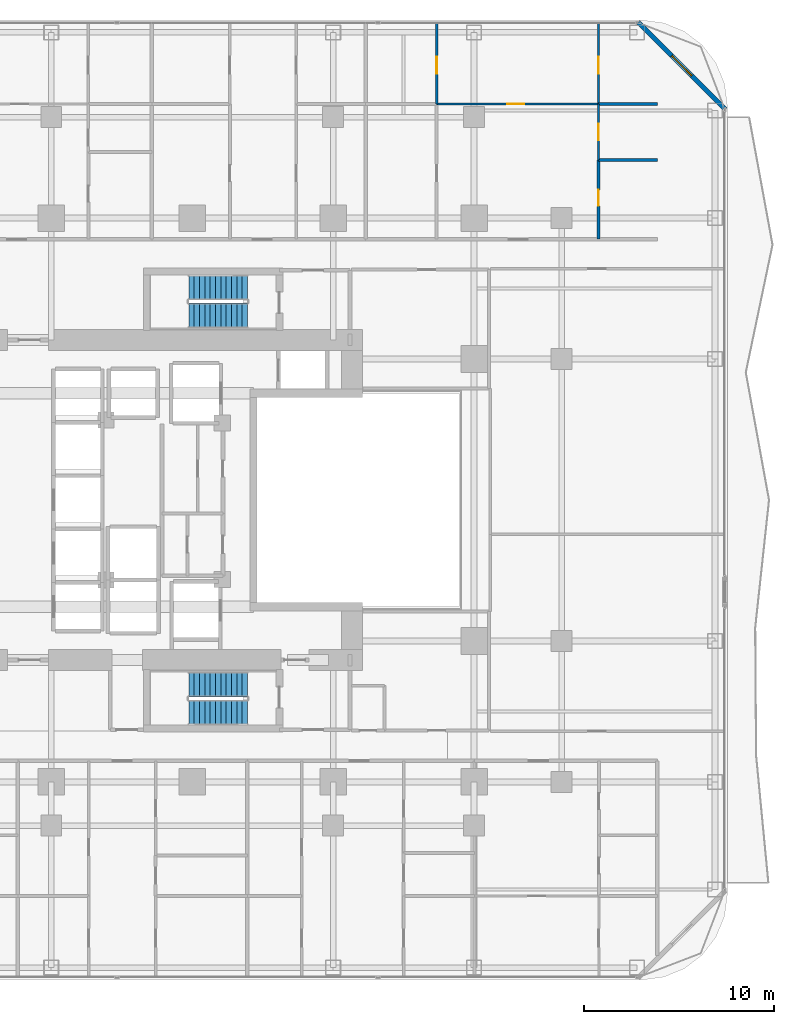
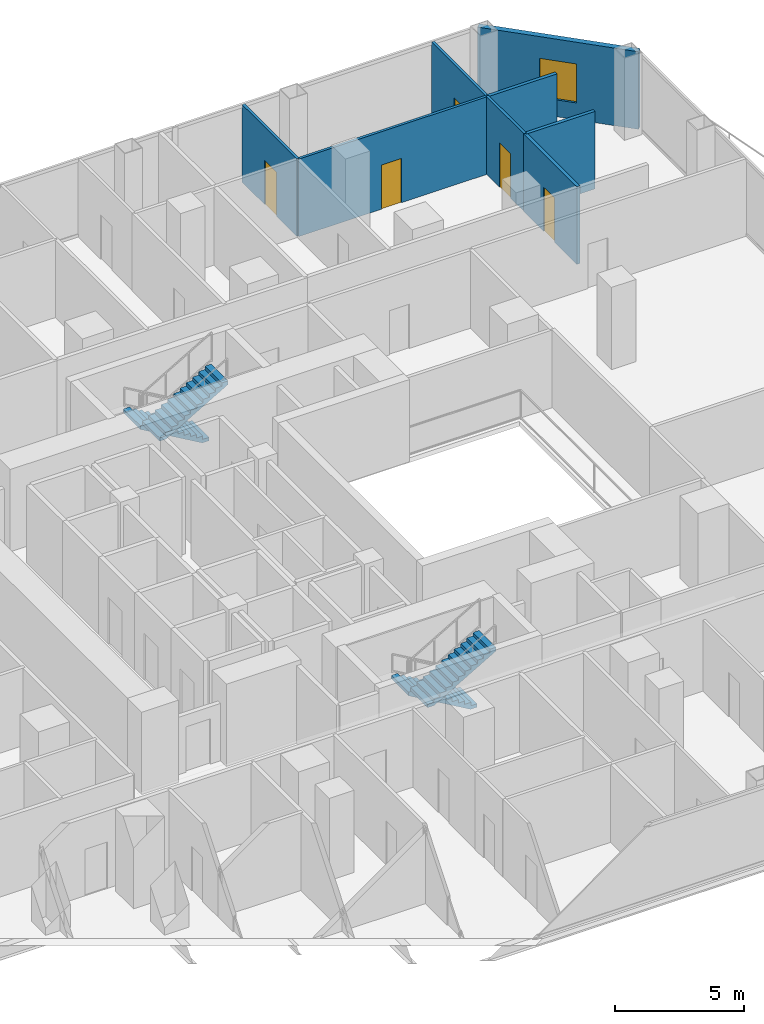
# One storey, part 25 of 28: 8 walls, 5 doors, 4 stair flights, 1 window, 6 openings, 2 elements without a shape of their own.
"""IFC4 building model written with IfcOpenShell, lengths in metres."""

import ifcopenshell
import ifcopenshell.guid

model = None  # the IFC model being written
_history = None  # IfcOwnerHistory: only IFC2X3 demands one
_inside = {}  # id of a spatial element -> (the spatial element, [elements in it])
_under = {}  # id of a project, library or spatial element -> (it, [spatial elements below it])
_declared = {}  # id of a project -> (the project, [libraries it declares])
_typed = {}  # id of a type object -> (the type object, [elements of that type])
_made_of = {}  # id of a material, layer set ... -> (it, [elements and type objects made of it])


def new_model(schema):
    """Start an empty IFC model of exactly this schema.

    Asked for "IFC4X3", IfcOpenShell would pick the latest addendum, in which some entities
    have other attributes; the version numbers below select the first issue.
    IFC2X3 requires an IfcOwnerHistory on every rooted entity: one is made here for all.
    """
    global model, _history
    if schema == "IFC4X3":
        model = ifcopenshell.file(schema_version=(4, 3, 0, 0))
    else:
        model = ifcopenshell.file(schema=schema)
    _inside.clear()
    _under.clear()
    _declared.clear()
    _typed.clear()
    _made_of.clear()
    _history = None
    if model.schema == "IFC2X3":
        org = make("IfcOrganization", Name="unknown")
        user = make(
            "IfcPersonAndOrganization",
            ThePerson=make("IfcPerson", FamilyName="unknown"),
            TheOrganization=org,
        )
        app = make(
            "IfcApplication",
            ApplicationDeveloper=org,
            Version="unknown",
            ApplicationFullName="unknown",
            ApplicationIdentifier="unknown",
        )
        _history = make(
            "IfcOwnerHistory",
            OwningUser=user,
            OwningApplication=app,
            ChangeAction="ADDED",
            CreationDate=0,
        )
    return model


def make(cls, **values):
    """One entity of the class cls with the attributes given. An attribute that is None is left unset."""
    return model.create_entity(
        cls, **{name: value for name, value in values.items() if value is not None}
    )


def rooted(cls, **values):
    """An entity with a GlobalId (a new one), such as an element, a storey or a relation."""
    return make(cls, GlobalId=ifcopenshell.guid.new(), OwnerHistory=_history, **values)


def si_unit(unit_type, name, prefix=None):
    """IfcSIUnit, for example si_unit("LENGTHUNIT", "METRE", prefix="MILLI")."""
    return make("IfcSIUnit", UnitType=unit_type, Prefix=prefix, Name=name)


def assignment(units):
    """IfcUnitAssignment: the units of a project."""
    return None if units is None else make("IfcUnitAssignment", Units=units)


def point(xyz):
    """IfcCartesianPoint."""
    return None if xyz is None else make("IfcCartesianPoint", Coordinates=xyz)


def direction(xyz):
    """IfcDirection."""
    return None if xyz is None else make("IfcDirection", DirectionRatios=xyz)


def frame(location, z_axis=None, x_axis=None):
    """IfcAxis2Placement3D, a coordinate frame: its origin and axes. An axis left out is left unset."""
    return make(
        "IfcAxis2Placement3D",
        Location=point(location),
        Axis=direction(z_axis),
        RefDirection=direction(x_axis),
    )


def frame_2d(location, x_axis=None):
    """IfcAxis2Placement2D, a coordinate frame in the plane: its origin and x axis."""
    return make(
        "IfcAxis2Placement2D", Location=point(location), RefDirection=direction(x_axis)
    )


def origin():
    """The frame at (0, 0, 0) with its axes left unset."""
    return frame((0.0, 0.0, 0.0))


def place(relative_to, where):
    """IfcLocalPlacement: puts the frame where relative to a parent placement (None: the world)."""
    return make(
        "IfcLocalPlacement", PlacementRelTo=relative_to, RelativePlacement=where
    )


def context(
    kind, dimensions, precision=None, world=None, true_north=None, identifier=None
):
    """IfcGeometricRepresentationContext, for example the 3D "Model" context."""
    return make(
        "IfcGeometricRepresentationContext",
        ContextIdentifier=identifier,
        ContextType=kind,
        CoordinateSpaceDimension=dimensions,
        Precision=precision,
        WorldCoordinateSystem=world,
        TrueNorth=true_north,
    )


def subcontext(parent, identifier, kind, view, scale=None):
    """IfcGeometricRepresentationSubContext, for example "Body" below "Model"."""
    return make(
        "IfcGeometricRepresentationSubContext",
        ContextIdentifier=identifier,
        ContextType=kind,
        ParentContext=parent,
        TargetScale=scale,
        TargetView=view,
    )


def project(units=None, contexts=None):
    """IfcProject with its units and contexts."""
    return rooted(
        "IfcProject",
        Name="project",
        RepresentationContexts=contexts,
        UnitsInContext=assignment(units),
    )


def spatial(cls, under=None, at=None, **own):
    """A site, building, storey or space (cls), placed at a placement, below another one or the project."""
    s = rooted(cls, ObjectPlacement=at, **own)
    if under is not None:
        _under.setdefault(under.id(), (under, []))[1].append(s)
    return s


def polyline(points):
    """IfcPolyline through the points."""
    return make("IfcPolyline", Points=[point(p) for p in points])


def profile(cls, at=None, kind="AREA", **sizes):
    """A parametric profile (cls). Its sizes go by their IFC names, for example OverallWidth=200.0."""
    return make(cls, ProfileType=kind, Position=at, **sizes)


def rectangle(**sizes):
    """IfcRectangleProfileDef."""
    return profile("IfcRectangleProfileDef", **sizes)


def outline(outer, holes=None, kind="AREA"):
    """IfcArbitraryClosedProfileDef: a profile drawn as a closed curve; with holes, ...WithVoids."""
    if holes is None:
        return make("IfcArbitraryClosedProfileDef", ProfileType=kind, OuterCurve=outer)
    return make(
        "IfcArbitraryProfileDefWithVoids",
        ProfileType=kind,
        OuterCurve=outer,
        InnerCurves=holes,
    )


def extrude(swept, where, along, depth):
    """IfcExtrudedAreaSolid: the profile swept, set in the frame where, extruded along a direction by depth."""
    return make(
        "IfcExtrudedAreaSolid",
        SweptArea=swept,
        Position=where,
        ExtrudedDirection=direction(along),
        Depth=depth,
    )


def shape(context_of_items, identifier, shape_type, items):
    """IfcShapeRepresentation: the items that make up one representation, for example the "Body"."""
    return make(
        "IfcShapeRepresentation",
        ContextOfItems=context_of_items,
        RepresentationIdentifier=identifier,
        RepresentationType=shape_type,
        Items=items,
    )


def material(Name=None, Category=None):
    """IfcMaterial."""
    return make("IfcMaterial", Name=Name, Category=Category)


def layer(
    of_material, thickness, ventilated=None, Name=None, Category=None, Priority=None
):
    """IfcMaterialLayer: one layer of a wall or slab, of a material (None: an air gap)."""
    return make(
        "IfcMaterialLayer",
        Material=of_material,
        LayerThickness=thickness,
        IsVentilated=ventilated,
        Name=Name,
        Category=Category,
        Priority=Priority,
    )


def layer_set(layers, Name=None):
    """IfcMaterialLayerSet."""
    return make("IfcMaterialLayerSet", MaterialLayers=layers, LayerSetName=Name)


def made_of(thing, what):
    """Note that an element or type object is made of a material, layer set ...; save() writes the relation."""
    if what is not None:
        _made_of.setdefault(what.id(), (what, []))[1].append(thing)
    return thing


def type_object(cls, material=None, **own):
    """A type object (cls), such as IfcWallType, which elements share."""
    return made_of(rooted(cls, **own), material)


def element(
    cls,
    number,
    at=None,
    inside=None,
    cuts=None,
    type_object=None,
    material=None,
    context=None,
    identifier="Body",
    shape_type=None,
    held_by="IfcProductDefinitionShape",
    body=None,
    shapes=None,
    **own,
):
    """One element of the class cls, such as IfcWall. Its Tag is "e" and its number.

    at: its placement. inside: the storey or other place that contains it. cuts: it is an
    opening in that element (IfcRelVoidsElement). A single representation is given by context,
    identifier, shape_type and body (its items); several are given by shapes. held_by: the class
    of the entity that holds the representations. save() writes the other relations.
    """
    e = rooted(cls, Tag="e%d" % number, ObjectPlacement=at, **own)
    if body is not None:
        shapes = [shape(context, identifier, shape_type, body)]
    if shapes is not None:
        e.Representation = make(held_by, Representations=shapes)
    if inside is not None:
        _inside.setdefault(inside.id(), (inside, []))[1].append(e)
    if cuts is not None:
        rooted(
            "IfcRelVoidsElement", RelatingBuildingElement=cuts, RelatedOpeningElement=e
        )
    if type_object is not None:
        _typed.setdefault(type_object.id(), (type_object, []))[1].append(e)
    return made_of(e, material)


def fill(opening, filler):
    """IfcRelFillsElement: the door or window that sits in an opening."""
    return rooted(
        "IfcRelFillsElement",
        RelatingOpeningElement=opening,
        RelatedBuildingElement=filler,
    )


def aggregate(whole, parts):
    """IfcRelAggregates: a whole, such as a stair, and the parts it consists of."""
    return rooted("IfcRelAggregates", RelatingObject=whole, RelatedObjects=parts)


def save(model, path):
    """Write the relations noted so far, then the file.

    IfcRelAggregates (storeys below a building ...), IfcRelContainedInSpatialStructure (elements
    in a storey), IfcRelDefinesByType, IfcRelAssociatesMaterial and IfcRelDeclares: one each for
    every whole, place, type object, material and project.
    """
    for whole, parts in _under.values():
        aggregate(whole, parts)
    for where, things in _inside.values():
        rooted(
            "IfcRelContainedInSpatialStructure",
            RelatedElements=things,
            RelatingStructure=where,
        )
    for kind, things in _typed.values():
        rooted("IfcRelDefinesByType", RelatedObjects=things, RelatingType=kind)
    for what, things in _made_of.values():
        rooted("IfcRelAssociatesMaterial", RelatedObjects=things, RelatingMaterial=what)
    for by, libraries in _declared.values():
        rooted("IfcRelDeclares", RelatingContext=by, RelatedDefinitions=libraries)
    model.write(path)


model = new_model("IFC4")

# Units and contexts
model_context = context("Model", 3, precision=1e-05, world=origin(), true_north=direction((0.0, 1.0)))
body_context = subcontext(model_context, "Body", "Model", "MODEL_VIEW")
ifc_project = project(units=[si_unit("LENGTHUNIT", "METRE"), si_unit("AREAUNIT", "SQUARE_METRE"), si_unit("VOLUMEUNIT", "CUBIC_METRE"), si_unit("PLANEANGLEUNIT", "RADIAN"), si_unit("MASSUNIT", "GRAM", prefix="KILO")], contexts=[model_context])

# Site, building, storey
site_placement = place(None, origin())
site = spatial("IfcSite", under=ifc_project, at=site_placement, CompositionType="ELEMENT")
building_placement = place(site_placement, origin())
building = spatial("IfcBuilding", under=site, at=building_placement, Name="Khorvyn Point Tower", CompositionType="ELEMENT")
storey_placement = place(building_placement, frame((0.0, 0.0, 34.5)))
storey = spatial("IfcBuildingStorey", under=building, at=storey_placement, Name="L09", CompositionType="ELEMENT", Elevation=34.5)

# Wall, opening, window
ifc_material_1 = material(Name="Pale anodised aluminium rainscreen on steel stud", Category="steel")
ifc_layer_1 = layer(ifc_material_1, 0.239990234375)
ifc_layer_set_1 = layer_set([ifc_layer_1], Name="Anodised Aluminium Insulated Corner Spandrel Wall 240")
wall_type_1 = type_object("IfcWallType", Name="Anodised Aluminium Insulated Corner Spandrel Wall 240", PredefinedType="SOLIDWALL", material=ifc_layer_set_1)
wall_1_placement = place(storey_placement, frame((23.40771484375, 25.09228515625, 0.0), z_axis=(0.0, 0.0, 1.0), x_axis=(0.707106781187, -0.707106781187, 0.0)))
wall_1 = element("IfcWall", 1, at=wall_1_placement, inside=storey, type_object=wall_type_1, Name="L09 Rounded Corner Wall NE", PredefinedType="SOLIDWALL", context=body_context, shape_type="SweptSolid", body=[
    extrude(rectangle(XDim=6.48388671875, YDim=0.239990234375, at=frame_2d((3.241943359375, 0.0))), origin(), (0.0, 0.0, 1.0), 3.679931640625),
])
opening_1_placement = place(wall_1_placement, frame((2.491943359375, 0.0, 0.800048828125)))
opening_1 = element("IfcOpeningElement", 2, at=opening_1_placement, cuts=wall_1, Name="Opening WN-1518", PredefinedType="OPENING", context=body_context, shape_type="SweptSolid", body=[
    extrude(rectangle(XDim=1.5, YDim=1.85009765625, at=frame_2d((0.75, 0.925048828125))), frame((0.0, 0.1298828125, 0.0), z_axis=(0.0, -1.0, 0.0), x_axis=(1.0, 0.0, 0.0)), (0.0, 0.0, 1.0), 0.260009765625),
])
ifc_material_2 = material(Name="Anodised aluminium 6063-T6 and laminated Low-E glass", Category="aluminium")
window_type = type_object("IfcWindowType", Name="Anodised Aluminium Rounded-Corner Panoramic Window 1500x1850", PartitioningType="SINGLE_PANEL", PredefinedType="WINDOW", material=ifc_material_2)
window_placement = place(opening_1_placement, origin())
window = element("IfcWindow", 3, at=window_placement, inside=storey, type_object=window_type, Name="L09 Corner Panoramic Window NE", OverallHeight=1.85009765625, OverallWidth=1.5, PartitioningType="SINGLE_PANEL", PredefinedType="WINDOW", context=body_context, shape_type="SweptSolid", body=[
    extrude(rectangle(XDim=1.5, YDim=1.85009765625, at=frame_2d((0.75, 0.925048828125))), frame((0.0, 0.030029296875, 0.0), z_axis=(0.0, -1.0, 0.0), x_axis=(1.0, 0.0, 0.0)), (0.0, 0.0, 1.0), 0.06005859375),
])
fill(opening_1, window)

# Wall, opening, door
ifc_material_3 = material(Name="Gypsum plasterboard on steel stud", Category="steel")
ifc_layer_2 = layer(ifc_material_3, 0.1201171875)
ifc_layer_set_2 = layer_set([ifc_layer_2], Name="Gypsum Acoustic Stud Room Partition Wall 120")
wall_type_2 = type_object("IfcWallType", Name="Gypsum Acoustic Stud Room Partition Wall 120", PredefinedType="PARTITIONING", material=ifc_layer_set_2)
wall_2_placement = place(storey_placement, frame((12.833984375, 20.7900390625, 0.0), z_axis=(0.0, 0.0, 1.0), x_axis=(1.0, 0.0, 0.0)))
wall_2 = element("IfcWall", 4, at=wall_2_placement, inside=storey, type_object=wall_type_2, Name="Wall", PredefinedType="PARTITIONING", context=body_context, shape_type="SweptSolid", body=[
    extrude(rectangle(XDim=8.49609375, YDim=0.1201171875, at=frame_2d((4.248046875, 0.0))), origin(), (0.0, 0.0, 1.0), 3.679931640625),
])
opening_2_placement = place(wall_2_placement, frame((3.709228515625, 0.0, 0.0)))
opening_2 = element("IfcOpeningElement", 5, at=opening_2_placement, cuts=wall_2, Name="Opening ID-RM90", PredefinedType="OPENING", context=body_context, shape_type="SweptSolid", body=[
    extrude(rectangle(XDim=0.89990234375, YDim=2.10009765625, at=frame_2d((0.449951171875, 1.050048828125))), frame((0.0, 0.070068359375, 0.0), z_axis=(0.0, -1.0, 0.0), x_axis=(1.0, 0.0, 0.0)), (0.0, 0.0, 1.0), 0.14013671875),
])
ifc_material_4 = material(Name="Engineered oak veneer timber", Category="wood")
door_type_1 = type_object("IfcDoorType", Name="Flush Engineered Timber Room Door 900x2100", OperationType="NOTDEFINED", PredefinedType="DOOR", material=ifc_material_4)
door_1_placement = place(opening_2_placement, origin())
door_1 = element("IfcDoor", 6, at=door_1_placement, inside=storey, type_object=door_type_1, Name="Door", OperationType="SINGLE_SWING_LEFT", OverallHeight=2.10009765625, OverallWidth=0.89990234375, PredefinedType="DOOR", context=body_context, shape_type="SweptSolid", body=[
    extrude(rectangle(XDim=0.89990234375, YDim=2.10009765625, at=frame_2d((0.449951171875, 1.050048828125))), frame((0.0, 0.02490234375, 0.0), z_axis=(0.0, -1.0, 0.0), x_axis=(1.0, 0.0, 0.0)), (0.0, 0.0, 1.0), 0.050048828125),
])
fill(opening_2, door_1)

wall_3_placement = place(storey_placement, frame((12.833984375, 20.7900390625, 0.0), z_axis=(0.0, 0.0, 1.0), x_axis=(0.0, 1.0, 0.0)))
wall_3 = element("IfcWall", 7, at=wall_3_placement, inside=storey, type_object=wall_type_2, Name="Wall", PredefinedType="PARTITIONING", context=body_context, shape_type="SweptSolid", body=[
    extrude(rectangle(XDim=4.239990234375, YDim=0.1201171875, at=frame_2d((2.1201171875, 0.0))), origin(), (0.0, 0.0, 1.0), 3.679931640625),
])
opening_3_placement = place(wall_3_placement, frame((1.581298828125, 0.0, 0.0)))
opening_3 = element("IfcOpeningElement", 8, at=opening_3_placement, cuts=wall_3, Name="Opening ID-RM90", PredefinedType="OPENING", context=body_context, shape_type="SweptSolid", body=[
    extrude(rectangle(XDim=0.89990234375, YDim=2.10009765625, at=frame_2d((0.449951171875, 1.050048828125))), frame((0.0, 0.070068359375, 0.0), z_axis=(0.0, -1.0, 0.0), x_axis=(1.0, 0.0, 0.0)), (0.0, 0.0, 1.0), 0.14013671875),
])
door_2_placement = place(opening_3_placement, origin())
door_2 = element("IfcDoor", 9, at=door_2_placement, inside=storey, type_object=door_type_1, Name="Door", OperationType="SINGLE_SWING_LEFT", OverallHeight=2.10009765625, OverallWidth=0.89990234375, PredefinedType="DOOR", context=body_context, shape_type="SweptSolid", body=[
    extrude(rectangle(XDim=0.89990234375, YDim=2.10009765625, at=frame_2d((0.449951171875, 1.050048828125))), frame((0.0, 0.02490234375, 0.0), z_axis=(0.0, -1.0, 0.0), x_axis=(1.0, 0.0, 0.0)), (0.0, 0.0, 1.0), 0.050048828125),
])
fill(opening_3, door_2)

wall_4_placement = place(storey_placement, frame((21.330078125, 17.847900390625, 0.0), z_axis=(0.0, 0.0, 1.0), x_axis=(0.0, 1.0, 0.0)))
wall_4 = element("IfcWall", 10, at=wall_4_placement, inside=storey, type_object=wall_type_2, Name="Wall", PredefinedType="PARTITIONING", context=body_context, shape_type="SweptSolid", body=[
    extrude(rectangle(XDim=2.942138671875, YDim=0.1201171875, at=frame_2d((1.47119140625, 0.0))), origin(), (0.0, 0.0, 1.0), 3.679931640625),
])
opening_4_placement = place(wall_4_placement, frame((1.0458984375, 0.0, 0.0)))
opening_4 = element("IfcOpeningElement", 11, at=opening_4_placement, cuts=wall_4, Name="Opening ID-WC85", PredefinedType="OPENING", context=body_context, shape_type="SweptSolid", body=[
    extrude(rectangle(XDim=0.85009765625, YDim=2.10009765625, at=frame_2d((0.425048828125, 1.050048828125))), frame((0.0, 0.070068359375, 0.0), z_axis=(0.0, -1.0, 0.0), x_axis=(1.0, 0.0, 0.0)), (0.0, 0.0, 1.0), 0.14013671875),
])
ifc_material_5 = material(Name="High-pressure laminate on moisture-resistant core", Category="wood")
door_type_2 = type_object("IfcDoorType", Name="Moisture-Resistant Accessible Washroom Door 850x2100", OperationType="NOTDEFINED", PredefinedType="DOOR", material=ifc_material_5)
door_3_placement = place(opening_4_placement, origin())
door_3 = element("IfcDoor", 12, at=door_3_placement, inside=storey, type_object=door_type_2, Name="Door", OperationType="SINGLE_SWING_LEFT", OverallHeight=2.10009765625, OverallWidth=0.85009765625, PredefinedType="DOOR", context=body_context, shape_type="SweptSolid", body=[
    extrude(rectangle(XDim=0.85009765625, YDim=2.10009765625, at=frame_2d((0.425048828125, 1.050048828125))), frame((0.0, 0.02490234375, 0.0), z_axis=(0.0, -1.0, 0.0), x_axis=(1.0, 0.0, 0.0)), (0.0, 0.0, 1.0), 0.050048828125),
])
fill(opening_4, door_3)

wall_5_placement = place(storey_placement, frame((21.330078125, 20.7900390625, 0.0), z_axis=(0.0, 0.0, 1.0), x_axis=(0.0, 1.0, 0.0)))
wall_5 = element("IfcWall", 13, at=wall_5_placement, inside=storey, type_object=wall_type_2, Name="Wall", PredefinedType="PARTITIONING", context=body_context, shape_type="SweptSolid", body=[
    extrude(rectangle(XDim=4.239990234375, YDim=0.1201171875, at=frame_2d((2.1201171875, 0.0))), origin(), (0.0, 0.0, 1.0), 3.679931640625),
])
opening_5_placement = place(wall_5_placement, frame((1.581298828125, 0.0, 0.0)))
opening_5 = element("IfcOpeningElement", 14, at=opening_5_placement, cuts=wall_5, Name="Opening ID-RM90", PredefinedType="OPENING", context=body_context, shape_type="SweptSolid", body=[
    extrude(rectangle(XDim=0.89990234375, YDim=2.10009765625, at=frame_2d((0.449951171875, 1.050048828125))), frame((0.0, 0.070068359375, 0.0), z_axis=(0.0, -1.0, 0.0), x_axis=(1.0, 0.0, 0.0)), (0.0, 0.0, 1.0), 0.14013671875),
])
door_4_placement = place(opening_5_placement, origin())
door_4 = element("IfcDoor", 15, at=door_4_placement, inside=storey, type_object=door_type_1, Name="Door", OperationType="SINGLE_SWING_RIGHT", OverallHeight=2.10009765625, OverallWidth=0.89990234375, PredefinedType="DOOR", context=body_context, shape_type="SweptSolid", body=[
    extrude(rectangle(XDim=0.89990234375, YDim=2.10009765625, at=frame_2d((0.449951171875, 1.050048828125))), frame((0.0, 0.02490234375, 0.0), z_axis=(0.0, -1.0, 0.0), x_axis=(1.0, 0.0, 0.0)), (0.0, 0.0, 1.0), 0.050048828125),
])
fill(opening_5, door_4)

ifc_material_6 = material(Name="Moisture-resistant gypsum and cement board", Category="gypsum")
ifc_layer_3 = layer(ifc_material_6, 0.14990234375)
ifc_layer_set_3 = layer_set([ifc_layer_3], Name="Moisture-Resistant Wet-Room Partition Wall 150")
wall_type_3 = type_object("IfcWallType", Name="Moisture-Resistant Wet-Room Partition Wall 150", PredefinedType="PARTITIONING", material=ifc_layer_set_3)
wall_6_placement = place(storey_placement, frame((21.330078125, 13.699951171875, 0.0), z_axis=(0.0, 0.0, 1.0), x_axis=(0.0, 1.0, 0.0)))
wall_6 = element("IfcWall", 16, at=wall_6_placement, inside=storey, type_object=wall_type_3, Name="Wall", PredefinedType="PARTITIONING", context=body_context, shape_type="SweptSolid", body=[
    extrude(rectangle(XDim=4.14794921875, YDim=0.14990234375, at=frame_2d((2.073974609375, 0.0))), origin(), (0.0, 0.0, 1.0), 3.679931640625),
])
opening_6_placement = place(wall_6_placement, frame((1.736572265625, 0.0, 0.0)))
opening_6 = element("IfcOpeningElement", 17, at=opening_6_placement, cuts=wall_6, Name="Opening ID-WC85", PredefinedType="OPENING", context=body_context, shape_type="SweptSolid", body=[
    extrude(rectangle(XDim=0.85009765625, YDim=2.10009765625, at=frame_2d((0.425048828125, 1.050048828125))), frame((0.0, 0.0849609375, 0.0), z_axis=(0.0, -1.0, 0.0), x_axis=(1.0, 0.0, 0.0)), (0.0, 0.0, 1.0), 0.169921875),
])
door_5_placement = place(opening_6_placement, origin())
door_5 = element("IfcDoor", 18, at=door_5_placement, inside=storey, type_object=door_type_2, Name="Door", OperationType="SINGLE_SWING_RIGHT", OverallHeight=2.10009765625, OverallWidth=0.85009765625, PredefinedType="DOOR", context=body_context, shape_type="SweptSolid", body=[
    extrude(rectangle(XDim=0.85009765625, YDim=2.10009765625, at=frame_2d((0.425048828125, 1.050048828125))), frame((0.0, 0.02490234375, 0.0), z_axis=(0.0, -1.0, 0.0), x_axis=(1.0, 0.0, 0.0)), (0.0, 0.0, 1.0), 0.050048828125),
])
fill(opening_6, door_5)

# Walls
for number, where, z_axis, x_axis, name in (
    (19, (21.330078125, 17.847900390625, 0.0), (0.0, 0.0, 1.0), (1.0, 0.0, 0.0), "Wall"),
    (20, (21.330078125, 20.7900390625, 0.0), (0.0, 0.0, 1.0), (1.0, 0.0, 0.0), "Wall"),
):
    element("IfcWall", number, at=place(storey_placement, frame(where, z_axis=z_axis, x_axis=x_axis)), inside=storey, type_object=wall_type_3, Name=name, PredefinedType="PARTITIONING", context=body_context, shape_type="SweptSolid", body=[
        extrude(rectangle(XDim=3.08984375, YDim=0.14990234375, at=frame_2d((1.544921875, 0.0))), origin(), (0.0, 0.0, 1.0), 3.679931640625),
    ])

# Stair, stair flights
ifc_material_7 = material(Name="Concrete C40/50", Category="concrete")
stair_type = type_object("IfcStairType", Name="Tower Concrete C40/50 Dogleg Exit Stair", PredefinedType="HALF_TURN_STAIR", material=ifc_material_7)
stair_1_placement = place(storey_placement, origin())
stair_1 = element("IfcStair", 21, at=stair_1_placement, inside=storey, type_object=stair_type, Name="L09 Tower Smokeproof Exit Stair South", PredefinedType="HALF_TURN_STAIR")
stair_flight_type = type_object("IfcStairFlightType", Name="Tower Concrete C40/50 Stair Flight", PredefinedType="STRAIGHT", material=ifc_material_7)
stair_flight_1_placement = place(storey_placement, frame((2.89990234375, -9.679931640625, 0.0), z_axis=(0.0, 0.0, 1.0), x_axis=(-1.0, 0.0, 0.0)))
stair_flight_1 = element("IfcStairFlight", 22, at=stair_flight_1_placement, type_object=stair_flight_type, Name="ST-01 flight 1", NumberOfRisers=12, NumberOfTreads=11, PredefinedType="STRAIGHT", RiserHeight=0.1625, TreadLength=0.28, context=body_context, shape_type="SweptSolid", body=[
    extrude(outline(polyline([(0.0, 0.0), (0.0, 0.16259765625), (0.280029296875, 0.16259765625), (0.280029296875, 0.324951171875), (0.56005859375, 0.324951171875), (0.56005859375, 0.487548828125), (0.840087890625, 0.487548828125), (0.840087890625, 0.64990234375), (1.1201171875, 0.64990234375), (1.1201171875, 0.8125), (1.39990234375, 0.8125), (1.39990234375, 0.97509765625), (1.679931640625, 0.97509765625), (1.679931640625, 1.137451171875), (1.9599609375, 1.137451171875), (1.9599609375, 1.300048828125), (2.239990234375, 1.300048828125), (2.239990234375, 1.46240234375), (2.52001953125, 1.46240234375), (2.52001953125, 1.625), (2.800048828125, 1.625), (2.800048828125, 1.78759765625), (3.080078125, 1.78759765625), (3.080078125, 1.949951171875), (3.080078125, 1.6142578125), (0.298583984375, 0.0), (0.0, 0.0)])), frame((0.0, 0.66015625, 0.0), z_axis=(0.0, -1.0, 0.0), x_axis=(1.0, 0.0, 0.0)), (0.0, 0.0, 1.0), 1.320068359375),
])
stair_flight_2_placement = place(storey_placement, frame((-0.179931640625, -11.159912109375, 1.949951171875), z_axis=(0.0, 0.0, 1.0), x_axis=(1.0, 0.0, 0.0)))
stair_flight_2 = element("IfcStairFlight", 23, at=stair_flight_2_placement, type_object=stair_flight_type, Name="ST-01 flight 2", NumberOfRisers=12, NumberOfTreads=11, PredefinedType="STRAIGHT", RiserHeight=0.1625, TreadLength=0.28, context=body_context, shape_type="SweptSolid", body=[
    extrude(outline(polyline([(0.0, 0.0), (0.0, 0.16259765625), (0.280029296875, 0.16259765625), (0.280029296875, 0.324951171875), (0.56005859375, 0.324951171875), (0.56005859375, 0.487548828125), (0.840087890625, 0.487548828125), (0.840087890625, 0.64990234375), (1.1201171875, 0.64990234375), (1.1201171875, 0.8125), (1.39990234375, 0.8125), (1.39990234375, 0.97509765625), (1.679931640625, 0.97509765625), (1.679931640625, 1.137451171875), (1.9599609375, 1.137451171875), (1.9599609375, 1.300048828125), (2.239990234375, 1.300048828125), (2.239990234375, 1.46240234375), (2.52001953125, 1.46240234375), (2.52001953125, 1.625), (2.800048828125, 1.625), (2.800048828125, 1.78759765625), (3.080078125, 1.78759765625), (3.080078125, 1.949951171875), (3.080078125, 1.6142578125), (0.298583984375, 0.0), (0.0, 0.0)])), frame((0.0, 0.66015625, 0.0), z_axis=(0.0, -1.0, 0.0), x_axis=(1.0, 0.0, 0.0)), (0.0, 0.0, 1.0), 1.320068359375),
])
aggregate(stair_1, [stair_flight_1, stair_flight_2])

stair_2_placement = place(storey_placement, origin())
stair_2 = element("IfcStair", 24, at=stair_2_placement, inside=storey, type_object=stair_type, Name="L09 Tower Smokeproof Exit Stair North", PredefinedType="HALF_TURN_STAIR")
stair_flight_3_placement = place(storey_placement, frame((2.89990234375, 11.159912109375, 0.0), z_axis=(0.0, 0.0, 1.0), x_axis=(-1.0, 0.0, 0.0)))
stair_flight_3 = element("IfcStairFlight", 25, at=stair_flight_3_placement, type_object=stair_flight_type, Name="ST-02 flight 1", NumberOfRisers=12, NumberOfTreads=11, PredefinedType="STRAIGHT", RiserHeight=0.1625, TreadLength=0.28, context=body_context, shape_type="SweptSolid", body=[
    extrude(outline(polyline([(0.0, 0.0), (0.0, 0.16259765625), (0.280029296875, 0.16259765625), (0.280029296875, 0.324951171875), (0.56005859375, 0.324951171875), (0.56005859375, 0.487548828125), (0.840087890625, 0.487548828125), (0.840087890625, 0.64990234375), (1.1201171875, 0.64990234375), (1.1201171875, 0.8125), (1.39990234375, 0.8125), (1.39990234375, 0.97509765625), (1.679931640625, 0.97509765625), (1.679931640625, 1.137451171875), (1.9599609375, 1.137451171875), (1.9599609375, 1.300048828125), (2.239990234375, 1.300048828125), (2.239990234375, 1.46240234375), (2.52001953125, 1.46240234375), (2.52001953125, 1.625), (2.800048828125, 1.625), (2.800048828125, 1.78759765625), (3.080078125, 1.78759765625), (3.080078125, 1.949951171875), (3.080078125, 1.6142578125), (0.298583984375, 0.0), (0.0, 0.0)])), frame((0.0, 0.66015625, 0.0), z_axis=(0.0, -1.0, 0.0), x_axis=(1.0, 0.0, 0.0)), (0.0, 0.0, 1.0), 1.320068359375),
])
stair_flight_4_placement = place(storey_placement, frame((-0.179931640625, 9.679931640625, 1.949951171875), z_axis=(0.0, 0.0, 1.0), x_axis=(1.0, 0.0, 0.0)))
stair_flight_4 = element("IfcStairFlight", 26, at=stair_flight_4_placement, type_object=stair_flight_type, Name="ST-02 flight 2", NumberOfRisers=12, NumberOfTreads=11, PredefinedType="STRAIGHT", RiserHeight=0.1625, TreadLength=0.28, context=body_context, shape_type="SweptSolid", body=[
    extrude(outline(polyline([(0.0, 0.0), (0.0, 0.16259765625), (0.280029296875, 0.16259765625), (0.280029296875, 0.324951171875), (0.56005859375, 0.324951171875), (0.56005859375, 0.487548828125), (0.840087890625, 0.487548828125), (0.840087890625, 0.64990234375), (1.1201171875, 0.64990234375), (1.1201171875, 0.8125), (1.39990234375, 0.8125), (1.39990234375, 0.97509765625), (1.679931640625, 0.97509765625), (1.679931640625, 1.137451171875), (1.9599609375, 1.137451171875), (1.9599609375, 1.300048828125), (2.239990234375, 1.300048828125), (2.239990234375, 1.46240234375), (2.52001953125, 1.46240234375), (2.52001953125, 1.625), (2.800048828125, 1.625), (2.800048828125, 1.78759765625), (3.080078125, 1.78759765625), (3.080078125, 1.949951171875), (3.080078125, 1.6142578125), (0.298583984375, 0.0), (0.0, 0.0)])), frame((0.0, 0.66015625, 0.0), z_axis=(0.0, -1.0, 0.0), x_axis=(1.0, 0.0, 0.0)), (0.0, 0.0, 1.0), 1.320068359375),
])
aggregate(stair_2, [stair_flight_3, stair_flight_4])

save(model, "model.ifc")
